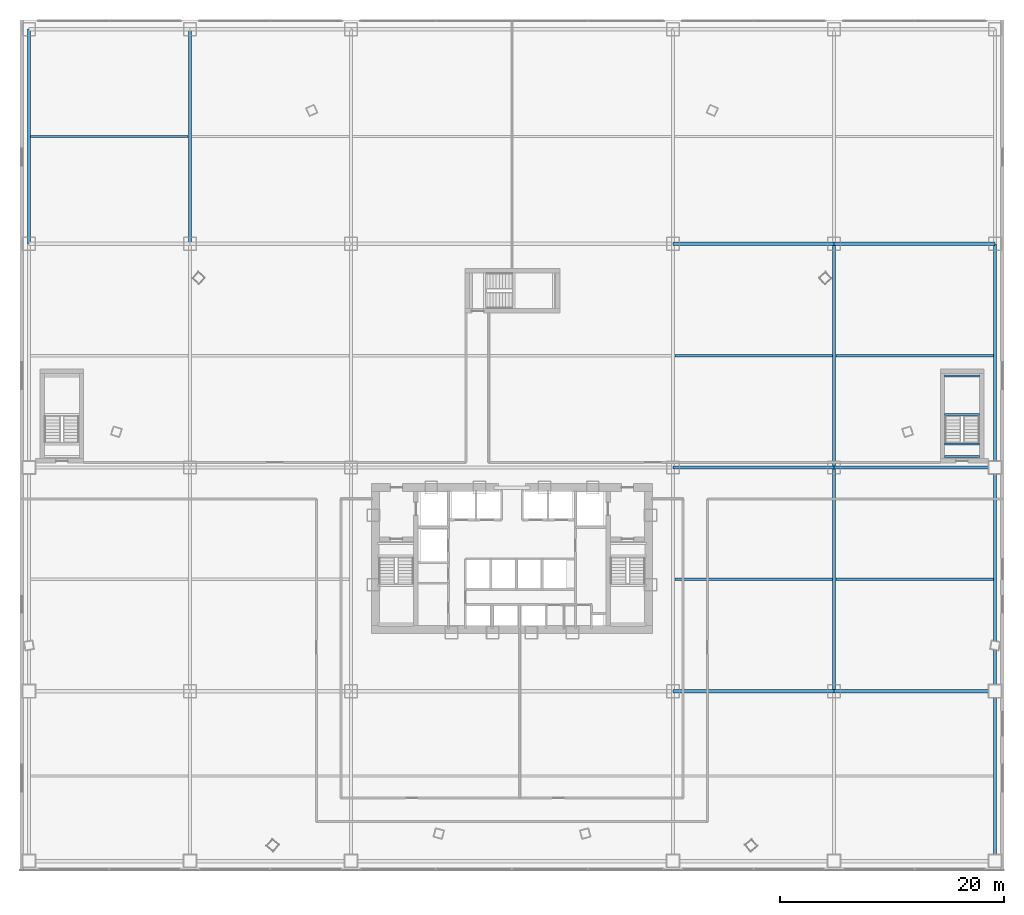
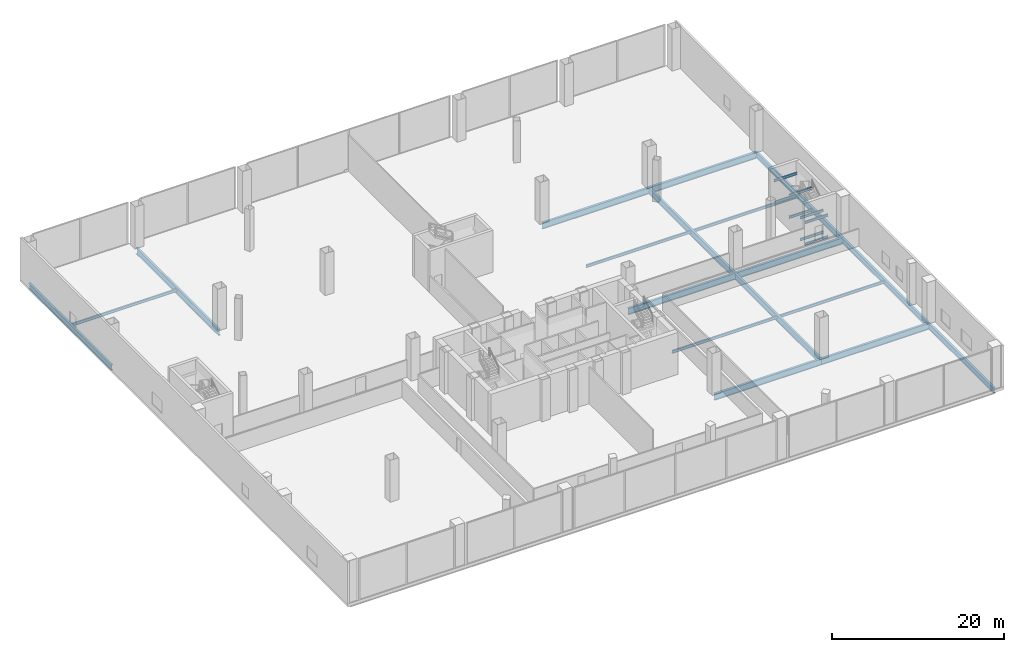
# One storey, part 17 of 41: 26 beams.
"""IFC4 building model written with IfcOpenShell, lengths in metres."""

import ifcopenshell
import ifcopenshell.guid

model = None  # the IFC model being written
_history = None  # IfcOwnerHistory: only IFC2X3 demands one
_inside = {}  # id of a spatial element -> (the spatial element, [elements in it])
_under = {}  # id of a project, library or spatial element -> (it, [spatial elements below it])
_declared = {}  # id of a project -> (the project, [libraries it declares])
_typed = {}  # id of a type object -> (the type object, [elements of that type])
_made_of = {}  # id of a material, layer set ... -> (it, [elements and type objects made of it])


def new_model(schema):
    """Start an empty IFC model of exactly this schema.

    Asked for "IFC4X3", IfcOpenShell would pick the latest addendum, in which some entities
    have other attributes; the version numbers below select the first issue.
    IFC2X3 requires an IfcOwnerHistory on every rooted entity: one is made here for all.
    """
    global model, _history
    if schema == "IFC4X3":
        model = ifcopenshell.file(schema_version=(4, 3, 0, 0))
    else:
        model = ifcopenshell.file(schema=schema)
    _inside.clear()
    _under.clear()
    _declared.clear()
    _typed.clear()
    _made_of.clear()
    _history = None
    if model.schema == "IFC2X3":
        org = make("IfcOrganization", Name="unknown")
        user = make(
            "IfcPersonAndOrganization",
            ThePerson=make("IfcPerson", FamilyName="unknown"),
            TheOrganization=org,
        )
        app = make(
            "IfcApplication",
            ApplicationDeveloper=org,
            Version="unknown",
            ApplicationFullName="unknown",
            ApplicationIdentifier="unknown",
        )
        _history = make(
            "IfcOwnerHistory",
            OwningUser=user,
            OwningApplication=app,
            ChangeAction="ADDED",
            CreationDate=0,
        )
    return model


def make(cls, **values):
    """One entity of the class cls with the attributes given. An attribute that is None is left unset."""
    return model.create_entity(
        cls, **{name: value for name, value in values.items() if value is not None}
    )


def rooted(cls, **values):
    """An entity with a GlobalId (a new one), such as an element, a storey or a relation."""
    return make(cls, GlobalId=ifcopenshell.guid.new(), OwnerHistory=_history, **values)


def si_unit(unit_type, name, prefix=None):
    """IfcSIUnit, for example si_unit("LENGTHUNIT", "METRE", prefix="MILLI")."""
    return make("IfcSIUnit", UnitType=unit_type, Prefix=prefix, Name=name)


def assignment(units):
    """IfcUnitAssignment: the units of a project."""
    return None if units is None else make("IfcUnitAssignment", Units=units)


def point(xyz):
    """IfcCartesianPoint."""
    return None if xyz is None else make("IfcCartesianPoint", Coordinates=xyz)


def direction(xyz):
    """IfcDirection."""
    return None if xyz is None else make("IfcDirection", DirectionRatios=xyz)


def frame(location, z_axis=None, x_axis=None):
    """IfcAxis2Placement3D, a coordinate frame: its origin and axes. An axis left out is left unset."""
    return make(
        "IfcAxis2Placement3D",
        Location=point(location),
        Axis=direction(z_axis),
        RefDirection=direction(x_axis),
    )


def frame_2d(location, x_axis=None):
    """IfcAxis2Placement2D, a coordinate frame in the plane: its origin and x axis."""
    return make(
        "IfcAxis2Placement2D", Location=point(location), RefDirection=direction(x_axis)
    )


def origin():
    """The frame at (0, 0, 0) with its axes left unset."""
    return frame((0.0, 0.0, 0.0))


def origin_2d():
    """The frame at (0, 0) in the plane with its x axis left unset."""
    return frame_2d((0.0, 0.0))


def place(relative_to, where):
    """IfcLocalPlacement: puts the frame where relative to a parent placement (None: the world)."""
    return make(
        "IfcLocalPlacement", PlacementRelTo=relative_to, RelativePlacement=where
    )


def context(
    kind, dimensions, precision=None, world=None, true_north=None, identifier=None
):
    """IfcGeometricRepresentationContext, for example the 3D "Model" context."""
    return make(
        "IfcGeometricRepresentationContext",
        ContextIdentifier=identifier,
        ContextType=kind,
        CoordinateSpaceDimension=dimensions,
        Precision=precision,
        WorldCoordinateSystem=world,
        TrueNorth=true_north,
    )


def subcontext(parent, identifier, kind, view, scale=None):
    """IfcGeometricRepresentationSubContext, for example "Body" below "Model"."""
    return make(
        "IfcGeometricRepresentationSubContext",
        ContextIdentifier=identifier,
        ContextType=kind,
        ParentContext=parent,
        TargetScale=scale,
        TargetView=view,
    )


def project(units=None, contexts=None):
    """IfcProject with its units and contexts."""
    return rooted(
        "IfcProject",
        Name="project",
        RepresentationContexts=contexts,
        UnitsInContext=assignment(units),
    )


def spatial(cls, under=None, at=None, **own):
    """A site, building, storey or space (cls), placed at a placement, below another one or the project."""
    s = rooted(cls, ObjectPlacement=at, **own)
    if under is not None:
        _under.setdefault(under.id(), (under, []))[1].append(s)
    return s


def profile(cls, at=None, kind="AREA", **sizes):
    """A parametric profile (cls). Its sizes go by their IFC names, for example OverallWidth=200.0."""
    return make(cls, ProfileType=kind, Position=at, **sizes)


def i_section(**sizes):
    """IfcIShapeProfileDef."""
    return profile("IfcIShapeProfileDef", **sizes)


def extrude(swept, where, along, depth):
    """IfcExtrudedAreaSolid: the profile swept, set in the frame where, extruded along a direction by depth."""
    return make(
        "IfcExtrudedAreaSolid",
        SweptArea=swept,
        Position=where,
        ExtrudedDirection=direction(along),
        Depth=depth,
    )


def shape(context_of_items, identifier, shape_type, items):
    """IfcShapeRepresentation: the items that make up one representation, for example the "Body"."""
    return make(
        "IfcShapeRepresentation",
        ContextOfItems=context_of_items,
        RepresentationIdentifier=identifier,
        RepresentationType=shape_type,
        Items=items,
    )


def source(mapping_origin, context_of_items, identifier, shape_type, items):
    """IfcRepresentationMap: a shape defined once, which mapped items show again and again."""
    return make(
        "IfcRepresentationMap",
        MappingOrigin=mapping_origin,
        MappedRepresentation=shape(context_of_items, identifier, shape_type, items),
    )


def transform(
    local_origin,
    x_axis=None,
    y_axis=None,
    z_axis=None,
    scale=None,
    scale2=None,
    scale3=None,
    uniform=True,
):
    """IfcCartesianTransformationOperator3D, or its non-uniform kind. x_axis, y_axis, z_axis: its Axis1, 2, 3."""
    if uniform:
        return make(
            "IfcCartesianTransformationOperator3D",
            Axis1=direction(x_axis),
            Axis2=direction(y_axis),
            LocalOrigin=point(local_origin),
            Scale=scale,
            Axis3=direction(z_axis),
        )
    return make(
        "IfcCartesianTransformationOperator3DnonUniform",
        Axis1=direction(x_axis),
        Axis2=direction(y_axis),
        LocalOrigin=point(local_origin),
        Scale=scale,
        Axis3=direction(z_axis),
        Scale2=scale2,
        Scale3=scale3,
    )


def mapped(mapping_source, mapping_target):
    """IfcMappedItem: shows the shape of a source again, moved by a transform."""
    return make(
        "IfcMappedItem", MappingSource=mapping_source, MappingTarget=mapping_target
    )


def material(Name=None, Category=None):
    """IfcMaterial."""
    return make("IfcMaterial", Name=Name, Category=Category)


def material_profile(
    of_material, cross_section, Name=None, Category=None, Priority=None
):
    """IfcMaterialProfile: a cross section and its material."""
    return make(
        "IfcMaterialProfile",
        Name=Name,
        Material=of_material,
        Profile=cross_section,
        Priority=Priority,
        Category=Category,
    )


def profile_set(profiles, Name=None, composite=None):
    """IfcMaterialProfileSet."""
    return make(
        "IfcMaterialProfileSet",
        Name=Name,
        MaterialProfiles=profiles,
        CompositeProfile=composite,
    )


def made_of(thing, what):
    """Note that an element or type object is made of a material, layer set ...; save() writes the relation."""
    if what is not None:
        _made_of.setdefault(what.id(), (what, []))[1].append(thing)
    return thing


def type_object(cls, material=None, **own):
    """A type object (cls), such as IfcWallType, which elements share."""
    return made_of(rooted(cls, **own), material)


def element(
    cls,
    number,
    at=None,
    inside=None,
    cuts=None,
    type_object=None,
    material=None,
    context=None,
    identifier="Body",
    shape_type=None,
    held_by="IfcProductDefinitionShape",
    body=None,
    shapes=None,
    **own,
):
    """One element of the class cls, such as IfcWall. Its Tag is "e" and its number.

    at: its placement. inside: the storey or other place that contains it. cuts: it is an
    opening in that element (IfcRelVoidsElement). A single representation is given by context,
    identifier, shape_type and body (its items); several are given by shapes. held_by: the class
    of the entity that holds the representations. save() writes the other relations.
    """
    e = rooted(cls, Tag="e%d" % number, ObjectPlacement=at, **own)
    if body is not None:
        shapes = [shape(context, identifier, shape_type, body)]
    if shapes is not None:
        e.Representation = make(held_by, Representations=shapes)
    if inside is not None:
        _inside.setdefault(inside.id(), (inside, []))[1].append(e)
    if cuts is not None:
        rooted(
            "IfcRelVoidsElement", RelatingBuildingElement=cuts, RelatedOpeningElement=e
        )
    if type_object is not None:
        _typed.setdefault(type_object.id(), (type_object, []))[1].append(e)
    return made_of(e, material)


def aggregate(whole, parts):
    """IfcRelAggregates: a whole, such as a stair, and the parts it consists of."""
    return rooted("IfcRelAggregates", RelatingObject=whole, RelatedObjects=parts)


def save(model, path):
    """Write the relations noted so far, then the file.

    IfcRelAggregates (storeys below a building ...), IfcRelContainedInSpatialStructure (elements
    in a storey), IfcRelDefinesByType, IfcRelAssociatesMaterial and IfcRelDeclares: one each for
    every whole, place, type object, material and project.
    """
    for whole, parts in _under.values():
        aggregate(whole, parts)
    for where, things in _inside.values():
        rooted(
            "IfcRelContainedInSpatialStructure",
            RelatedElements=things,
            RelatingStructure=where,
        )
    for kind, things in _typed.values():
        rooted("IfcRelDefinesByType", RelatedObjects=things, RelatingType=kind)
    for what, things in _made_of.values():
        rooted("IfcRelAssociatesMaterial", RelatedObjects=things, RelatingMaterial=what)
    for by, libraries in _declared.values():
        rooted("IfcRelDeclares", RelatingContext=by, RelatedDefinitions=libraries)
    model.write(path)


model = new_model("IFC4")

# Units and contexts
model_context = context("Model", 3, precision=1e-05, world=origin(), true_north=direction((0.0, 1.0)))
body_context = subcontext(model_context, "Body", "Model", "MODEL_VIEW")
ifc_project = project(units=[si_unit("LENGTHUNIT", "METRE"), si_unit("AREAUNIT", "SQUARE_METRE"), si_unit("VOLUMEUNIT", "CUBIC_METRE"), si_unit("PLANEANGLEUNIT", "RADIAN"), si_unit("MASSUNIT", "GRAM", prefix="KILO"), si_unit("THERMODYNAMICTEMPERATUREUNIT", "KELVIN"), si_unit("POWERUNIT", "WATT")], contexts=[model_context])

# Site, building, storey
site_placement = place(None, origin())
site = spatial("IfcSite", under=ifc_project, at=site_placement, CompositionType="ELEMENT")
building_placement = place(site_placement, origin())
building = spatial("IfcBuilding", under=site, at=building_placement, Name="Yunzhuo Pagoda Commons", CompositionType="ELEMENT")
storey_placement = place(building_placement, frame((0.0, 0.0, 19.199951171875)))
storey = spatial("IfcBuildingStorey", under=building, at=storey_placement, Name="L05", CompositionType="ELEMENT", Elevation=19.199951171875)

# Beams
ifc_material = material(Name="Structural steel Q355B", Category="steel")
ifc_material_profile_1 = material_profile(ifc_material, i_section(OverallWidth=0.175048828125, OverallDepth=0.35009765625, WebThickness=0.007080078125, FlangeThickness=0.010986328125, at=origin_2d()), Name="Structural steel Q355B")
ifc_profile_set_1 = profile_set([ifc_material_profile_1], Name="Structural steel Q355B")
beam_type_1 = type_object("IfcBeamType", Name="B-JS2 Joist HN 350x175x7x11", PredefinedType="JOIST", material=ifc_profile_set_1)
shared_shape_1 = source(origin(), body_context, "Body", "SweptSolid", [
    extrude(i_section(OverallWidth=0.175048828125, OverallDepth=0.35009765625, WebThickness=0.007080078125, FlangeThickness=0.010986328125, at=origin_2d()), origin(), (0.0, 0.0, 1.0), 3.10009765625),
])
for number, where, z_axis, x_axis, name in (
    (1, (86.699951171875, 46.739990234375, 1.175048828125), (1.0, 0.0, 0.0), (0.0, 1.0, 0.0), "L05 PS4 landing support beam 7A"),
    (2, (86.699951171875, 50.199951171875, 1.175048828125), (1.0, 0.0, 0.0), (0.0, 1.0, 0.0), "L05 PS4 landing support beam 7B"),
    (3, (86.699951171875, 43.0, 2.72509765625), (1.0, 0.0, 0.0), (0.0, 1.0, 0.0), "L05 PS4 landing support beam 8A"),
    (4, (86.699951171875, 44.10009765625, 2.72509765625), (1.0, 0.0, 0.0), (0.0, 1.0, 0.0), "L05 PS4 landing support beam 8B"),
    (5, (86.699951171875, 46.739990234375, 4.275146484375), (1.0, 0.0, 0.0), (0.0, 1.0, 0.0), "L05 PS4 landing support beam 9A"),
    (6, (86.699951171875, 50.199951171875, 4.275146484375), (1.0, 0.0, 0.0), (0.0, 1.0, 0.0), "L05 PS4 landing support beam 9B"),
    (7, (86.699951171875, 43.0, -0.375), (1.0, 0.0, 0.0), (0.0, 1.0, 0.0), "L05 PS4 landing support beam 15A"),
    (8, (86.699951171875, 44.10009765625, -0.375), (1.0, 0.0, 0.0), (0.0, 1.0, 0.0), "L05 PS4 landing support beam 15B"),
):
    element("IfcBeam", number, at=place(storey_placement, frame(where, z_axis=z_axis, x_axis=x_axis)), inside=storey, type_object=beam_type_1, Name=name, PredefinedType="JOIST", context=body_context, shape_type="MappedRepresentation", body=[
        mapped(shared_shape_1, transform((0.0, 0.0, 0.0), scale=1.0)),
    ])
ifc_material_profile_2 = material_profile(ifc_material, i_section(OverallWidth=0.300048828125, OverallDepth=0.89990234375, WebThickness=0.01611328125, FlangeThickness=0.028076171875, at=origin_2d()), Name="Structural steel Q355B")
ifc_profile_set_2 = profile_set([ifc_material_profile_2], Name="Structural steel Q355B")
beam_type_2 = type_object("IfcBeamType", Name="B-PD1 Beam HN 900x300x16x28", PredefinedType="BEAM", material=ifc_profile_set_2)
shared_shape_2 = source(origin(), body_context, "Body", "SweptSolid", [
    extrude(i_section(OverallWidth=0.300048828125, OverallDepth=0.89990234375, WebThickness=0.01611328125, FlangeThickness=0.028076171875, at=origin_2d()), origin(), (0.0, 0.0, 1.0), 14.39990234375),
])
for number, where, z_axis, x_axis, name in (
    (9, (76.800048828125, 22.0, -0.72998046875), (1.0, 0.0, 0.0), (0.0, 1.0, 0.0), "L05 podium girder EW 2.5"),
    (10, (76.800048828125, 42.0, -0.72998046875), (1.0, 0.0, 0.0), (0.0, 1.0, 0.0), "L05 podium girder EW 3.5"),
    (11, (76.800048828125, 62.0, -0.72998046875), (1.0, 0.0, 0.0), (0.0, 1.0, 0.0), "L05 podium girder EW 4.5"),
):
    element("IfcBeam", number, at=place(storey_placement, frame(where, z_axis=z_axis, x_axis=x_axis)), inside=storey, type_object=beam_type_2, Name=name, PredefinedType="BEAM", context=body_context, shape_type="MappedRepresentation", body=[
        mapped(shared_shape_2, transform((0.0, 0.0, 0.0), scale=1.0)),
    ])
shared_shape_3 = source(origin(), body_context, "Body", "SweptSolid", [
    extrude(i_section(OverallWidth=0.300048828125, OverallDepth=0.89990234375, WebThickness=0.01611328125, FlangeThickness=0.028076171875, at=origin_2d()), origin(), (0.0, 0.0, 1.0), 14.400146484375),
])
for number, where, z_axis, x_axis, name in (
    (12, (62.39990234375, 22.0, -0.72998046875), (1.0, 0.0, 0.0), (0.0, 1.0, 0.0), "L05 podium girder EW 2.4"),
    (13, (62.39990234375, 42.0, -0.72998046875), (1.0, 0.0, 0.0), (0.0, 1.0, 0.0), "L05 podium girder EW 3.4"),
    (14, (62.39990234375, 62.0, -0.72998046875), (1.0, 0.0, 0.0), (0.0, 1.0, 0.0), "L05 podium girder EW 4.4"),
):
    element("IfcBeam", number, at=place(storey_placement, frame(where, z_axis=z_axis, x_axis=x_axis)), inside=storey, type_object=beam_type_2, Name=name, PredefinedType="BEAM", context=body_context, shape_type="MappedRepresentation", body=[
        mapped(shared_shape_3, transform((0.0, 0.0, 0.0), scale=1.0)),
    ])
ifc_material_profile_3 = material_profile(ifc_material, i_section(OverallWidth=0.300048828125, OverallDepth=0.800048828125, WebThickness=0.013916015625, FlangeThickness=0.02587890625, at=origin_2d()), Name="Structural steel Q355B")
ifc_profile_set_3 = profile_set([ifc_material_profile_3], Name="Structural steel Q355B")
beam_type_3 = type_object("IfcBeamType", Name="B-PD2 Beam HN 800x300x14x26", PredefinedType="BEAM", material=ifc_profile_set_3)
shared_shape_4 = source(origin(), body_context, "Body", "SweptSolid", [
    extrude(i_section(OverallWidth=0.300048828125, OverallDepth=0.800048828125, WebThickness=0.013916015625, FlangeThickness=0.02587890625, at=origin_2d()), origin(), (0.0, 0.0, 1.0), 15.199951171875),
])
beam_1_placement = place(storey_placement, frame((91.199951171875, 6.800048828125, -0.6796875), z_axis=(0.0, 1.0, 0.0), x_axis=(-1.0, 0.0, 0.0)))
element("IfcBeam", 15, at=beam_1_placement, inside=storey, type_object=beam_type_3, Name="L05 podium girder NS 6.1", PredefinedType="BEAM", context=body_context, shape_type="MappedRepresentation", body=[
    mapped(shared_shape_4, transform((0.0, 0.0, 0.0), scale=1.0)),
])
ifc_material_profile_4 = material_profile(ifc_material, i_section(OverallWidth=0.199951171875, OverallDepth=0.39990234375, WebThickness=0.008056640625, FlangeThickness=0.012939453125, at=origin_2d()), Name="Structural steel Q355B")
ifc_profile_set_4 = profile_set([ifc_material_profile_4], Name="Structural steel Q355B")
beam_type_4 = type_object("IfcBeamType", Name="B-JS1 Joist HN 400x200x8x13", PredefinedType="JOIST", material=ifc_profile_set_4)
shared_shape_5 = source(origin(), body_context, "Body", "SweptSolid", [
    extrude(i_section(OverallWidth=0.199951171875, OverallDepth=0.39990234375, WebThickness=0.008056640625, FlangeThickness=0.012939453125, at=origin_2d()), origin(), (0.0, 0.0, 1.0), 14.08984375),
])
for number, where, z_axis, x_axis, name in (
    (16, (4.955078125, 71.60009765625, -0.47998046875), (1.0, 0.0, 0.0), (0.0, 1.0, 0.0), "L05 podium composite joist 1.4"),
    (17, (76.955078125, 32.0, -0.47998046875), (1.0, 0.0, 0.0), (0.0, 1.0, 0.0), "L05 podium composite joist 5.2"),
    (18, (76.955078125, 52.0, -0.47998046875), (1.0, 0.0, 0.0), (0.0, 1.0, 0.0), "L05 podium composite joist 5.3"),
):
    element("IfcBeam", number, at=place(storey_placement, frame(where, z_axis=z_axis, x_axis=x_axis)), inside=storey, type_object=beam_type_4, Name=name, PredefinedType="JOIST", context=body_context, shape_type="MappedRepresentation", body=[
        mapped(shared_shape_5, transform((0.0, 0.0, 0.0), scale=1.0)),
    ])
shared_shape_6 = source(origin(), body_context, "Body", "SweptSolid", [
    extrude(i_section(OverallWidth=0.300048828125, OverallDepth=0.800048828125, WebThickness=0.013916015625, FlangeThickness=0.02587890625, at=origin_2d()), origin(), (0.0, 0.0, 1.0), 20.0),
])
for number, where, z_axis, x_axis, name in (
    (19, (91.199951171875, 22.0, -0.6796875), (0.0, 1.0, 0.0), (-1.0, 0.0, 0.0), "L05 podium girder NS 6.2"),
    (20, (91.199951171875, 42.0, -0.6796875), (0.0, 1.0, 0.0), (-1.0, 0.0, 0.0), "L05 podium girder NS 6.3"),
):
    element("IfcBeam", number, at=place(storey_placement, frame(where, z_axis=z_axis, x_axis=x_axis)), inside=storey, type_object=beam_type_3, Name=name, PredefinedType="BEAM", context=body_context, shape_type="MappedRepresentation", body=[
        mapped(shared_shape_6, transform((0.0, 0.0, 0.0), scale=1.0)),
    ])
shared_shape_7 = source(origin(), body_context, "Body", "SweptSolid", [
    extrude(i_section(OverallWidth=0.300048828125, OverallDepth=0.800048828125, WebThickness=0.013916015625, FlangeThickness=0.02587890625, at=origin_2d()), origin(), (0.0, 0.0, 1.0), 19.199951171875),
])
beam_2_placement = place(storey_placement, frame((4.800048828125, 62.0, -0.6796875), z_axis=(0.0, 1.0, 0.0), x_axis=(-1.0, 0.0, 0.0)))
element("IfcBeam", 21, at=beam_2_placement, inside=storey, type_object=beam_type_3, Name="L05 podium girder NS 1.4", PredefinedType="BEAM", context=body_context, shape_type="MappedRepresentation", body=[
    mapped(shared_shape_7, transform((0.0, 0.0, 0.0), scale=1.0)),
])
shared_shape_8 = source(origin(), body_context, "Body", "SweptSolid", [
    extrude(i_section(OverallWidth=0.300048828125, OverallDepth=0.89990234375, WebThickness=0.01611328125, FlangeThickness=0.028076171875, at=origin_2d()), origin(), (0.0, 0.0, 1.0), 20.0),
])
for number, where, z_axis, x_axis, name in (
    (22, (76.800048828125, 22.0, -0.72998046875), (0.0, 1.0, 0.0), (-1.0, 0.0, 0.0), "L05 podium girder NS 5.2"),
    (23, (76.800048828125, 42.0, -0.72998046875), (0.0, 1.0, 0.0), (-1.0, 0.0, 0.0), "L05 podium girder NS 5.3"),
):
    element("IfcBeam", number, at=place(storey_placement, frame(where, z_axis=z_axis, x_axis=x_axis)), inside=storey, type_object=beam_type_2, Name=name, PredefinedType="BEAM", context=body_context, shape_type="MappedRepresentation", body=[
        mapped(shared_shape_8, transform((0.0, 0.0, 0.0), scale=1.0)),
    ])
shared_shape_9 = source(origin(), body_context, "Body", "SweptSolid", [
    extrude(i_section(OverallWidth=0.300048828125, OverallDepth=0.89990234375, WebThickness=0.01611328125, FlangeThickness=0.028076171875, at=origin_2d()), origin(), (0.0, 0.0, 1.0), 19.199951171875),
])
beam_3_placement = place(storey_placement, frame((19.199951171875, 62.0, -0.72998046875), z_axis=(0.0, 1.0, 0.0), x_axis=(-1.0, 0.0, 0.0)))
element("IfcBeam", 24, at=beam_3_placement, inside=storey, type_object=beam_type_2, Name="L05 podium girder NS 2.4", PredefinedType="BEAM", context=body_context, shape_type="MappedRepresentation", body=[
    mapped(shared_shape_9, transform((0.0, 0.0, 0.0), scale=1.0)),
])
shared_shape_10 = source(origin(), body_context, "Body", "SweptSolid", [
    extrude(i_section(OverallWidth=0.199951171875, OverallDepth=0.39990234375, WebThickness=0.008056640625, FlangeThickness=0.012939453125, at=origin_2d()), origin(), (0.0, 0.0, 1.0), 14.09033203125),
])
for number, where, z_axis, x_axis, name in (
    (25, (62.554931640625, 32.0, -0.47998046875), (1.0, 0.0, 0.0), (0.0, 1.0, 0.0), "L05 podium composite joist 4.2"),
    (26, (62.554931640625, 52.0, -0.47998046875), (1.0, 0.0, 0.0), (0.0, 1.0, 0.0), "L05 podium composite joist 4.3"),
):
    element("IfcBeam", number, at=place(storey_placement, frame(where, z_axis=z_axis, x_axis=x_axis)), inside=storey, type_object=beam_type_4, Name=name, PredefinedType="JOIST", context=body_context, shape_type="MappedRepresentation", body=[
        mapped(shared_shape_10, transform((0.0, 0.0, 0.0), scale=1.0)),
    ])

save(model, "model.ifc")
